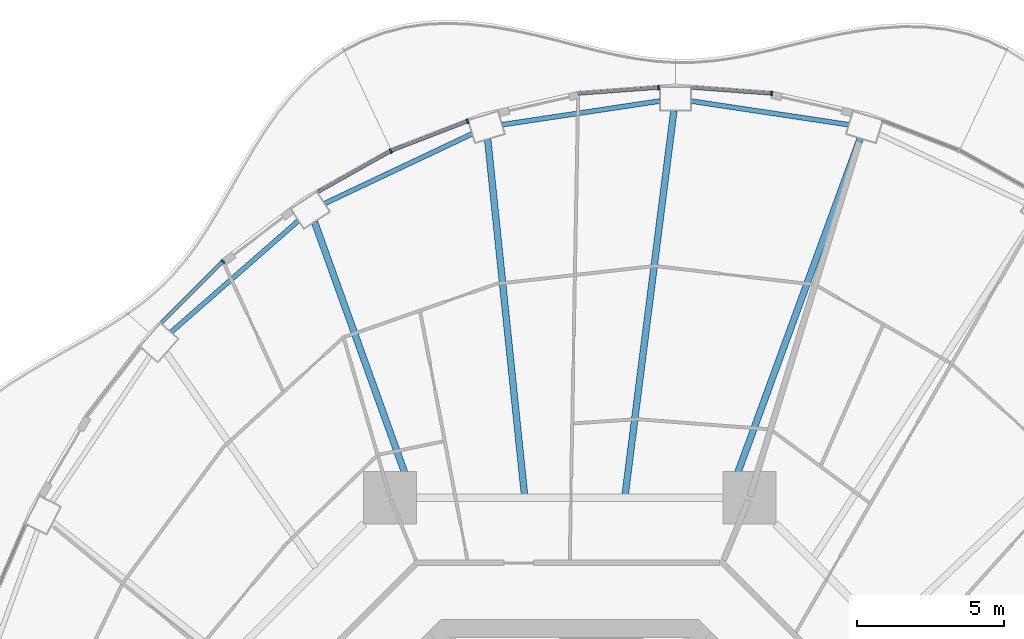
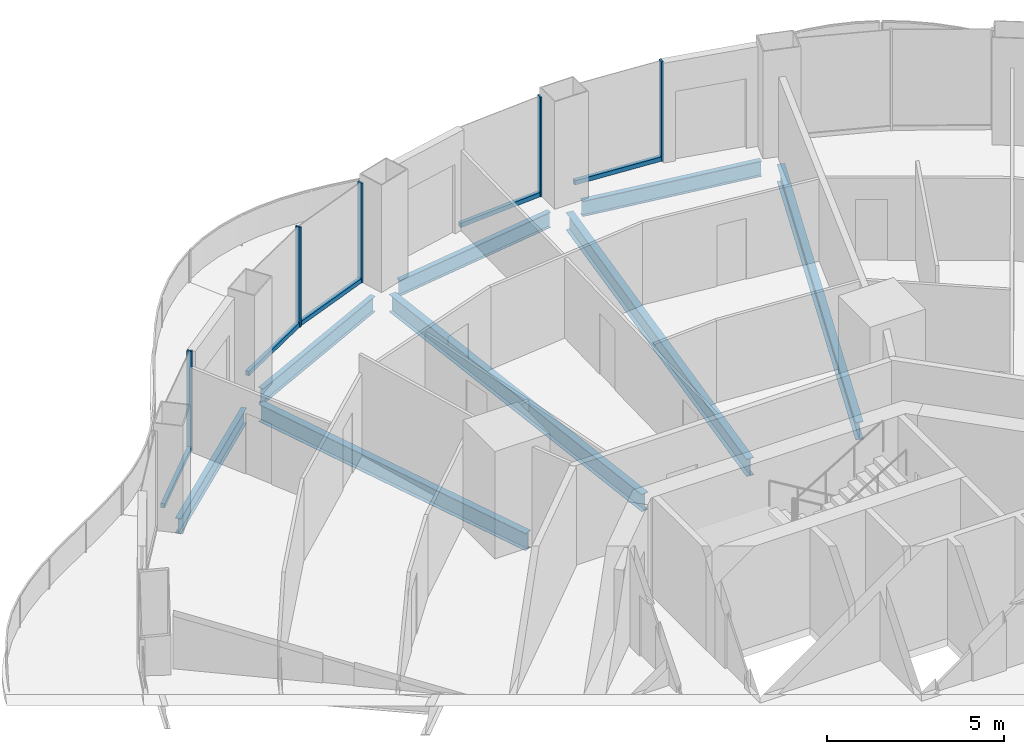
# One storey, part 7 of 19: 10 members, 8 beams, 5 elements without a shape of their own.
"""IFC4 building model written with IfcOpenShell, lengths in metres."""

from ifc_helpers import new_model, si_unit, direction, frame, origin, origin_2d, place, context, subcontext, project, spatial, rectangle, i_section, extrude, material, layer, layer_set, material_profile, profile_set, type_object, element, aggregate, save


model = new_model("IFC4")

# Units and contexts
model_context = context("Model", 3, precision=1e-05, world=origin(), true_north=direction((0.0, 1.0)))
body_context = subcontext(model_context, "Body", "Model", "MODEL_VIEW")
ifc_project = project(units=[si_unit("LENGTHUNIT", "METRE"), si_unit("AREAUNIT", "SQUARE_METRE"), si_unit("VOLUMEUNIT", "CUBIC_METRE"), si_unit("PLANEANGLEUNIT", "RADIAN"), si_unit("MASSUNIT", "GRAM", prefix="KILO")], contexts=[model_context])

# Site, building, storey
site_placement = place(None, origin())
site = spatial("IfcSite", under=ifc_project, at=site_placement, CompositionType="ELEMENT")
building_placement = place(site_placement, origin())
building = spatial("IfcBuilding", under=site, at=building_placement, Name="Nagisa Residences", CompositionType="ELEMENT")
storey_placement = place(building_placement, frame((0.0, 0.0, 177.0)))
storey = spatial("IfcBuildingStorey", under=building, at=storey_placement, Name="L44", CompositionType="ELEMENT", Elevation=177.0)

# Curtain wall, member
ifc_material_1 = material(Name="Concrete-coloured aluminium curtain wall system", Category="concrete")
ifc_layer = layer(ifc_material_1, 0.159912109375)
ifc_layer_set = layer_set([ifc_layer], Name="CW1 CURTAIN WALL")
curtain_wall_type = type_object("IfcCurtainWallType", Name="CW1 CURTAIN WALL", PredefinedType="NOTDEFINED", material=ifc_layer_set)
curtain_wall_1_placement = place(storey_placement, origin())
curtain_wall_1 = element("IfcCurtainWall", 1, at=curtain_wall_1_placement, inside=storey, type_object=curtain_wall_type, Name="cw:CW1:L44:11", PredefinedType="NOTDEFINED")
ifc_material_2 = material(Name="Concrete-coloured aluminium", Category="concrete")
ifc_material_profile_1 = material_profile(ifc_material_2, rectangle(XDim=0.159912109375, YDim=0.06005859375, at=origin_2d()), Name="CW1 MULLION 160x60")
ifc_profile_set_1 = profile_set([ifc_material_profile_1], Name="Concrete-coloured aluminium")
member_type_1 = type_object("IfcMemberType", Name="CW1 MULLION 160x60", PredefinedType="MULLION", material=ifc_profile_set_1)
member_1_placement = place(storey_placement, frame((6.876220703125, 28.550537109375, 0.0), z_axis=(0.0, 0.0, 1.0), x_axis=(-0.074377355493, -0.997230168512, 0.0)))
member_1 = element("IfcMember", 2, at=member_1_placement, type_object=member_type_1, Name="CW1 mullion", PredefinedType="MULLION", context=body_context, shape_type="SweptSolid", body=[
    extrude(rectangle(XDim=0.159912109375, YDim=0.06005859375, at=origin_2d()), origin(), (0.0, 0.0, 1.0), 3.43994140625),
])

curtain_wall_2_placement = place(storey_placement, origin())
curtain_wall_2 = element("IfcCurtainWall", 3, at=curtain_wall_2_placement, inside=storey, type_object=curtain_wall_type, Name="cw:CW1:L44:12", PredefinedType="NOTDEFINED")
member_2_placement = place(storey_placement, frame((3.027587890625, 28.752197265625, 0.0), z_axis=(0.0, 0.0, 1.0), x_axis=(0.074377355493, -0.997230168512, 0.0)))
member_2 = element("IfcMember", 4, at=member_2_placement, type_object=member_type_1, Name="CW1 mullion", PredefinedType="MULLION", context=body_context, shape_type="SweptSolid", body=[
    extrude(rectangle(XDim=0.159912109375, YDim=0.06005859375, at=origin_2d()), origin(), (0.0, 0.0, 1.0), 3.43994140625),
])

curtain_wall_3_placement = place(storey_placement, origin())
curtain_wall_3 = element("IfcCurtainWall", 5, at=curtain_wall_3_placement, inside=storey, type_object=curtain_wall_type, Name="cw:CW1:L44:14", PredefinedType="NOTDEFINED")
member_3_placement = place(storey_placement, frame((-3.479736328125, 27.607421875, 0.0), z_axis=(0.0, 0.0, 1.0), x_axis=(0.360327770268, -0.932825759707, 0.0)))
member_3 = element("IfcMember", 6, at=member_3_placement, type_object=member_type_1, Name="CW1 mullion", PredefinedType="MULLION", context=body_context, shape_type="SweptSolid", body=[
    extrude(rectangle(XDim=0.159912109375, YDim=0.06005859375, at=origin_2d()), origin(), (0.0, 0.0, 1.0), 3.43994140625),
])

curtain_wall_4_placement = place(storey_placement, origin())
curtain_wall_4 = element("IfcCurtainWall", 7, at=curtain_wall_4_placement, inside=storey, type_object=curtain_wall_type, Name="cw:CW1:L44:15", PredefinedType="NOTDEFINED")
member_4_placement = place(storey_placement, frame((-6.09765625, 26.592529296875, 0.0), z_axis=(0.0, 0.0, 1.0), x_axis=(0.489376918501, -0.872072377523, 0.0)))
member_4 = element("IfcMember", 8, at=member_4_placement, type_object=member_type_1, Name="CW1 mullion", PredefinedType="MULLION", context=body_context, shape_type="SweptSolid", body=[
    extrude(rectangle(XDim=0.159912109375, YDim=0.06005859375, at=origin_2d()), origin(), (0.0, 0.0, 1.0), 3.43994140625),
])

curtain_wall_5_placement = place(storey_placement, origin())
curtain_wall_5 = element("IfcCurtainWall", 9, at=curtain_wall_5_placement, inside=storey, type_object=curtain_wall_type, Name="cw:CW1:L44:17", PredefinedType="NOTDEFINED")
member_5_placement = place(storey_placement, frame((-11.81201171875, 22.830322265625, 0.0), z_axis=(0.0, 0.0, 1.0), x_axis=(0.706376885714, -0.707835924016, 0.0)))
member_5 = element("IfcMember", 10, at=member_5_placement, type_object=member_type_1, Name="CW1 mullion", PredefinedType="MULLION", context=body_context, shape_type="SweptSolid", body=[
    extrude(rectangle(XDim=0.159912109375, YDim=0.06005859375, at=origin_2d()), origin(), (0.0, 0.0, 1.0), 3.43994140625),
])

# Member
ifc_material_3 = material(Name="Concrete-coloured aluminium", Category="concrete")
ifc_material_profile_2 = material_profile(ifc_material_3, rectangle(XDim=0.1201171875, YDim=0.14990234375, at=origin_2d()), Name="CW1 TRANSOM 120x150")
ifc_profile_set_2 = profile_set([ifc_material_profile_2], Name="Concrete-coloured aluminium")
member_type_2 = type_object("IfcMemberType", Name="CW1 TRANSOM 120x150", PredefinedType="USERDEFINED", material=ifc_profile_set_2)
member_6_placement = place(storey_placement, frame((6.90625, 28.548095703125, 0.074951171875), z_axis=(-0.997225528735, 0.074439538143, 0.0), x_axis=(-0.074439538143, -0.997225528735, 0.0)))
member_6 = element("IfcMember", 11, at=member_6_placement, type_object=member_type_2, Name="CW1 transom", ObjectType="TRANSOM", PredefinedType="USERDEFINED", context=body_context, shape_type="SweptSolid", body=[
    extrude(rectangle(XDim=0.1201171875, YDim=0.14990234375, at=origin_2d()), origin(), (0.0, 0.0, 1.0), 2.771240234375),
])

aggregate(curtain_wall_1, [member_1, member_6])

member_7_placement = place(storey_placement, frame((3.057373046875, 28.75439453125, 0.074951171875), z_axis=(-0.99722504052, -0.074446078208, 0.0), x_axis=(0.074446078208, -0.99722504052, 0.0)))
member_7 = element("IfcMember", 12, at=member_7_placement, type_object=member_type_2, Name="CW1 transom", ObjectType="TRANSOM", PredefinedType="USERDEFINED", context=body_context, shape_type="SweptSolid", body=[
    extrude(rectangle(XDim=0.1201171875, YDim=0.14990234375, at=origin_2d()), origin(), (0.0, 0.0, 1.0), 2.77099609375),
])

aggregate(curtain_wall_2, [member_2, member_7])

member_8_placement = place(storey_placement, frame((-3.45166015625, 27.618408203125, 0.074951171875), z_axis=(-0.932806734513, -0.360377019311, 0.0), x_axis=(0.360377019311, -0.932806734513, 0.0)))
member_8 = element("IfcMember", 13, at=member_8_placement, type_object=member_type_2, Name="CW1 transom", ObjectType="TRANSOM", PredefinedType="USERDEFINED", context=body_context, shape_type="SweptSolid", body=[
    extrude(rectangle(XDim=0.1201171875, YDim=0.14990234375, at=origin_2d()), origin(), (0.0, 0.0, 1.0), 2.819580078125),
])

aggregate(curtain_wall_3, [member_3, member_8])

member_9_placement = place(storey_placement, frame((-6.071533203125, 26.607177734375, 0.074951171875), z_axis=(-0.872057843239, -0.489402817774, 0.0), x_axis=(0.489402817774, -0.872057843239, 0.0)))
member_9 = element("IfcMember", 14, at=member_9_placement, type_object=member_type_2, Name="CW1 transom", ObjectType="TRANSOM", PredefinedType="USERDEFINED", context=body_context, shape_type="SweptSolid", body=[
    extrude(rectangle(XDim=0.1201171875, YDim=0.14990234375, at=origin_2d()), origin(), (0.0, 0.0, 1.0), 2.863525390625),
])

aggregate(curtain_wall_4, [member_4, member_9])

member_10_placement = place(storey_placement, frame((-11.790771484375, 22.8515625, 0.074951171875), z_axis=(-0.707803821372, -0.706409053206, 0.0), x_axis=(0.706409053206, -0.707803821372, 0.0)))
member_10 = element("IfcMember", 15, at=member_10_placement, type_object=member_type_2, Name="CW1 transom", ObjectType="TRANSOM", PredefinedType="USERDEFINED", context=body_context, shape_type="SweptSolid", body=[
    extrude(rectangle(XDim=0.1201171875, YDim=0.14990234375, at=origin_2d()), origin(), (0.0, 0.0, 1.0), 2.9755859375),
])

aggregate(curtain_wall_5, [member_5, member_10])

# Beams
ifc_material_4 = material(Name="Steel ASTM A572 Gr 50", Category="steel")
ifc_material_profile_3 = material_profile(ifc_material_4, i_section(OverallWidth=0.166015625, OverallDepth=0.534912109375, WebThickness=0.01025390625, FlangeThickness=0.0166015625, at=origin_2d()), Name="W530x85")
ifc_profile_set_3 = profile_set([ifc_material_profile_3], Name="Steel ASTM A572 Gr 50")
beam_type_1 = type_object("IfcBeamType", Name="Perimeter ring beam W530x85", PredefinedType="BEAM", material=ifc_profile_set_3)
for number, where, z_axis, x_axis, name in (
    (16, (9.508056640625, 27.48779296875, -0.527587890625), (-0.988911312658, 0.148507291732, 0.0), (-0.148507291732, -0.988911312658, 0.0), "beam:L44:pb06"),
    (17, (3.06982421875, 28.29541015625, -0.527587890625), (-0.988911312658, -0.148507291732, 0.0), (0.148507291732, -0.988911312658, 0.0), "beam:L44:pb07"),
):
    element("IfcBeam", number, at=place(storey_placement, frame(where, z_axis=z_axis, x_axis=x_axis)), inside=storey, type_object=beam_type_1, Name=name, PredefinedType="BEAM", context=body_context, shape_type="SweptSolid", body=[
        extrude(i_section(OverallWidth=0.166015625, OverallDepth=0.534912109375, WebThickness=0.01025390625, FlangeThickness=0.0166015625, at=origin_2d()), origin(), (0.0, 0.0, 1.0), 5.438232421875),
    ])
beam_1_placement = place(storey_placement, frame((-3.32275390625, 27.17919921875, -0.527587890625), z_axis=(-0.904157325884, -0.427199637232, 0.0), x_axis=(0.427199637232, -0.904157325884, 0.0)))
element("IfcBeam", 18, at=beam_1_placement, inside=storey, type_object=beam_type_1, Name="beam:L44:pb08", PredefinedType="BEAM", context=body_context, shape_type="SweptSolid", body=[
    extrude(i_section(OverallWidth=0.166015625, OverallDepth=0.534912109375, WebThickness=0.01025390625, FlangeThickness=0.0166015625, at=origin_2d()), origin(), (0.0, 0.0, 1.0), 5.56396484375),
])
beam_2_placement = place(storey_placement, frame((-9.240234375, 24.220947265625, -0.527587890625), z_axis=(-0.752461486776, -0.658636250838, 0.0), x_axis=(0.658636250838, -0.752461486776, 0.0)))
element("IfcBeam", 19, at=beam_2_placement, inside=storey, type_object=beam_type_1, Name="beam:L44:pb09", PredefinedType="BEAM", context=body_context, shape_type="SweptSolid", body=[
    extrude(i_section(OverallWidth=0.166015625, OverallDepth=0.534912109375, WebThickness=0.01025390625, FlangeThickness=0.0166015625, at=origin_2d()), origin(), (0.0, 0.0, 1.0), 5.776611328125),
])
ifc_material_5 = material(Name="Steel ASTM A572 Gr 50", Category="steel")
ifc_material_profile_4 = material_profile(ifc_material_5, i_section(OverallWidth=0.22802734375, OverallDepth=0.60302734375, WebThickness=0.010498046875, FlangeThickness=0.014892578125, at=origin_2d()), Name="W610x101")
ifc_profile_set_4 = profile_set([ifc_material_profile_4], Name="Steel ASTM A572 Gr 50")
beam_type_2 = type_object("IfcBeamType", Name="Radial beam W610x101", PredefinedType="BEAM", material=ifc_profile_set_4)
beam_3_placement = place(storey_placement, frame((9.898681640625, 27.02734375, -0.5615234375), z_axis=(-0.343903309659, -0.939005065804, 0.0), x_axis=(0.939005065804, -0.343903309659, 0.0)))
element("IfcBeam", 20, at=beam_3_placement, inside=storey, type_object=beam_type_2, Name="beam:L44:rb06", PredefinedType="BEAM", context=body_context, shape_type="SweptSolid", body=[
    extrude(i_section(OverallWidth=0.22802734375, OverallDepth=0.60302734375, WebThickness=0.010498046875, FlangeThickness=0.014892578125, at=origin_2d()), origin(), (0.0, 0.0, 1.0), 12.92529296875),
])
beam_4_placement = place(storey_placement, frame((3.548583984375, 27.9697265625, -0.5615234375), z_axis=(-0.125871302495, -0.992046579153, 0.0), x_axis=(0.992046579153, -0.125871302495, 0.0)))
element("IfcBeam", 21, at=beam_4_placement, inside=storey, type_object=beam_type_2, Name="beam:L44:rb07", PredefinedType="BEAM", context=body_context, shape_type="SweptSolid", body=[
    extrude(i_section(OverallWidth=0.22802734375, OverallDepth=0.60302734375, WebThickness=0.010498046875, FlangeThickness=0.014892578125, at=origin_2d()), origin(), (0.0, 0.0, 1.0), 13.185546875),
])
beam_5_placement = place(storey_placement, frame((-2.795654296875, 26.997314453125, -0.5615234375), z_axis=(0.103007948723, -0.994680532885, 0.0), x_axis=(0.994680532885, 0.103007948723, 0.0)))
element("IfcBeam", 22, at=beam_5_placement, inside=storey, type_object=beam_type_2, Name="beam:L44:rb08", PredefinedType="BEAM", context=body_context, shape_type="SweptSolid", body=[
    extrude(i_section(OverallWidth=0.22802734375, OverallDepth=0.60302734375, WebThickness=0.010498046875, FlangeThickness=0.014892578125, at=origin_2d()), origin(), (0.0, 0.0, 1.0), 12.1728515625),
])
beam_6_placement = place(storey_placement, frame((-8.6962890625, 24.180908203125, -0.5615234375), z_axis=(0.338417364879, -0.940996114311, 0.0), x_axis=(0.940996114311, 0.338417364879, 0.0)))
element("IfcBeam", 23, at=beam_6_placement, inside=storey, type_object=beam_type_2, Name="beam:L44:rb09", PredefinedType="BEAM", context=body_context, shape_type="SweptSolid", body=[
    extrude(i_section(OverallWidth=0.22802734375, OverallDepth=0.60302734375, WebThickness=0.010498046875, FlangeThickness=0.014892578125, at=origin_2d()), origin(), (0.0, 0.0, 1.0), 9.873291015625),
])

save(model, "model.ifc")
